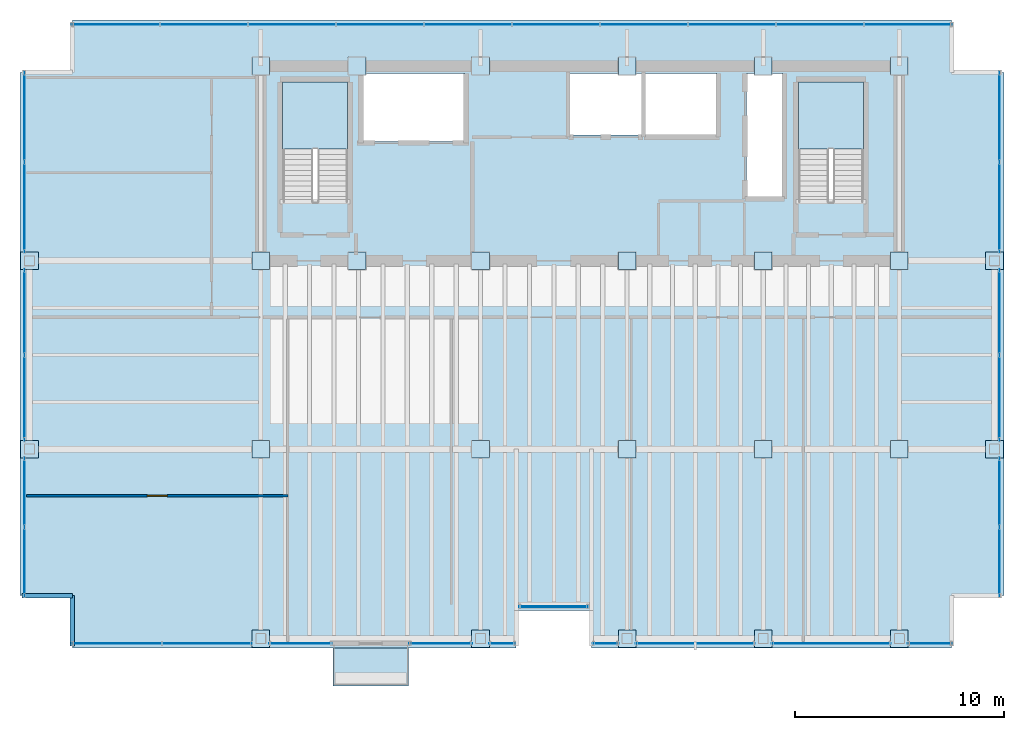
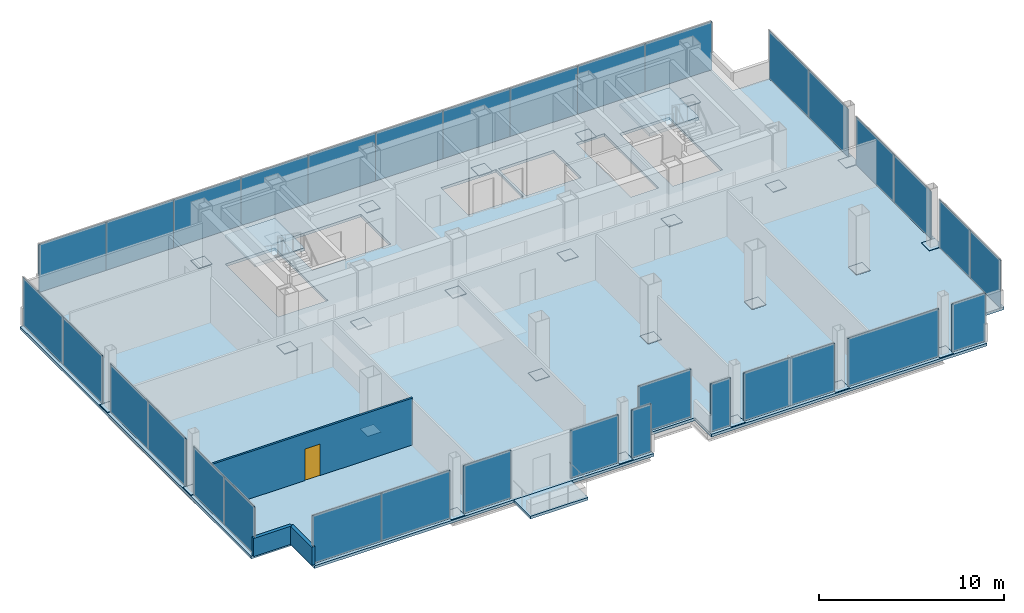
# One storey, part 17 of 20: 58 plates, 4 slabs, 3 walls, 1 door, 7 openings, 18 elements without a shape of their own.
"""IFC4 building model written with IfcOpenShell, lengths in metres."""

from ifc_helpers import new_model, si_unit, direction, frame, frame_2d, origin, origin_2d, place, context, subcontext, project, spatial, polyline, rectangle, outline, extrude, material, layer, layer_set, type_object, element, fill, aggregate, save


model = new_model("IFC4")

# Units and contexts
model_context = context("Model", 3, precision=1e-05, world=origin(), true_north=direction((0.0, 1.0)))
body_context = subcontext(model_context, "Body", "Model", "MODEL_VIEW")
ifc_project = project(units=[si_unit("LENGTHUNIT", "METRE"), si_unit("AREAUNIT", "SQUARE_METRE"), si_unit("VOLUMEUNIT", "CUBIC_METRE"), si_unit("PLANEANGLEUNIT", "RADIAN"), si_unit("MASSUNIT", "GRAM", prefix="KILO")], contexts=[model_context])

# Site, building, storey
site_placement = place(None, origin())
site = spatial("IfcSite", under=ifc_project, at=site_placement, CompositionType="ELEMENT")
building_placement = place(site_placement, origin())
building = spatial("IfcBuilding", under=site, at=building_placement, Name="Noeulbin Bourse Tower", CompositionType="ELEMENT")
storey_placement = place(building_placement, frame((0.0, 0.0, 118.800048828125)))
storey = spatial("IfcBuildingStorey", under=building, at=storey_placement, Name="L29", CompositionType="ELEMENT", Elevation=118.800048828125)

# Curtain wall, plate
ifc_material_1 = material(Name="Dark Tinted Triple Glazing", Category="glass")
curtain_wall_type = type_object("IfcCurtainWallType", Name="CW-SYS-3", PredefinedType="NOTDEFINED", material=ifc_material_1)
curtain_wall_1_placement = place(storey_placement, origin())
curtain_wall_1 = element("IfcCurtainWall", 1, at=curtain_wall_1_placement, inside=storey, type_object=curtain_wall_type, Name="Unitised Curtain Wall CW-L29-SREC", PredefinedType="NOTDEFINED")
ifc_layer_1 = layer(ifc_material_1, 0.035888671875)
ifc_layer_set_1 = layer_set([ifc_layer_1], Name="Dark Tinted Triple Glazing")
plate_type_1 = type_object("IfcPlateType", Name="CW-SYS-3-PNL", PredefinedType="CURTAIN_PANEL", material=ifc_layer_set_1)
plate_1_placement = place(storey_placement, frame((27.5, 12.47998046875, 0.0), z_axis=(0.0, 0.0, 1.0), x_axis=(1.0, 0.0, 0.0)))
plate_1 = element("IfcPlate", 2, at=plate_1_placement, type_object=plate_type_1, Name="Glazed Curtain Panel CW-L29-SREC-P00", PredefinedType="CURTAIN_PANEL", context=body_context, shape_type="SweptSolid", body=[
    extrude(rectangle(XDim=3.300048828125, YDim=0.035888671875, at=origin_2d()), origin(), (0.0, 0.0, 1.0), 3.179931640625),
])
aggregate(curtain_wall_1, [plate_1])

# Curtain wall, plates
curtain_wall_2_placement = place(storey_placement, origin())
curtain_wall_2 = element("IfcCurtainWall", 3, at=curtain_wall_2_placement, inside=storey, type_object=curtain_wall_type, Name="Unitised Curtain Wall CW-L29-S1-S1", PredefinedType="NOTDEFINED")
plate_2_placement = place(storey_placement, frame((6.632568359375, 10.719970703125, 0.0), z_axis=(0.0, 0.0, 1.0), x_axis=(1.0, 0.0, 0.0)))
plate_2 = element("IfcPlate", 4, at=plate_2_placement, type_object=plate_type_1, Name="Glazed Curtain Panel CW-L29-S1-S1-P00", PredefinedType="CURTAIN_PANEL", context=body_context, shape_type="SweptSolid", body=[
    extrude(rectangle(XDim=4.304931640625, YDim=0.035888671875, at=origin_2d()), origin(), (0.0, 0.0, 1.0), 3.179931640625),
])
plate_3_placement = place(storey_placement, frame((10.9375, 10.719970703125, 0.0), z_axis=(0.0, 0.0, 1.0), x_axis=(1.0, 0.0, 0.0)))
plate_3 = element("IfcPlate", 5, at=plate_3_placement, type_object=plate_type_1, Name="Glazed Curtain Panel CW-L29-S1-S1-P01", PredefinedType="CURTAIN_PANEL", context=body_context, shape_type="SweptSolid", body=[
    extrude(rectangle(XDim=4.304931640625, YDim=0.035888671875, at=origin_2d()), origin(), (0.0, 0.0, 1.0), 3.179931640625),
])
aggregate(curtain_wall_2, [plate_2, plate_3])

# Curtain wall, plate
curtain_wall_3_placement = place(storey_placement, origin())
curtain_wall_3 = element("IfcCurtainWall", 6, at=curtain_wall_3_placement, inside=storey, type_object=curtain_wall_type, Name="Unitised Curtain Wall CW-L29-S1-S2", PredefinedType="NOTDEFINED")
plate_4_placement = place(storey_placement, frame((15.405029296875, 10.719970703125, 0.0), z_axis=(0.0, 0.0, 1.0), x_axis=(1.0, 0.0, 0.0)))
plate_4 = element("IfcPlate", 7, at=plate_4_placement, type_object=plate_type_1, Name="Glazed Curtain Panel CW-L29-S1-S2-P00", PredefinedType="CURTAIN_PANEL", context=body_context, shape_type="SweptSolid", body=[
    extrude(rectangle(XDim=2.989990234375, YDim=0.035888671875, at=origin_2d()), origin(), (0.0, 0.0, 1.0), 3.179931640625),
])
aggregate(curtain_wall_3, [plate_4])

curtain_wall_4_placement = place(storey_placement, origin())
curtain_wall_4 = element("IfcCurtainWall", 8, at=curtain_wall_4_placement, inside=storey, type_object=curtain_wall_type, Name="Unitised Curtain Wall CW-L29-S2-S1", PredefinedType="NOTDEFINED")
plate_5_placement = place(storey_placement, frame((22.094970703125, 10.719970703125, 0.0), z_axis=(0.0, 0.0, 1.0), x_axis=(1.0, 0.0, 0.0)))
plate_5 = element("IfcPlate", 9, at=plate_5_placement, type_object=plate_type_1, Name="Glazed Curtain Panel CW-L29-S2-S1-P00", PredefinedType="CURTAIN_PANEL", context=body_context, shape_type="SweptSolid", body=[
    extrude(rectangle(XDim=2.989990234375, YDim=0.035888671875, at=origin_2d()), origin(), (0.0, 0.0, 1.0), 3.179931640625),
])
aggregate(curtain_wall_4, [plate_5])

curtain_wall_5_placement = place(storey_placement, origin())
curtain_wall_5 = element("IfcCurtainWall", 10, at=curtain_wall_5_placement, inside=storey, type_object=curtain_wall_type, Name="Unitised Curtain Wall CW-L29-S2-S2", PredefinedType="NOTDEFINED")
plate_6_placement = place(storey_placement, frame((25.030029296875, 10.719970703125, 0.0), z_axis=(0.0, 0.0, 1.0), x_axis=(1.0, 0.0, 0.0)))
plate_6 = element("IfcPlate", 11, at=plate_6_placement, type_object=plate_type_1, Name="Glazed Curtain Panel CW-L29-S2-S2-P00", PredefinedType="CURTAIN_PANEL", context=body_context, shape_type="SweptSolid", body=[
    extrude(rectangle(XDim=1.239990234375, YDim=0.035888671875, at=origin_2d()), origin(), (0.0, 0.0, 1.0), 3.179931640625),
])
aggregate(curtain_wall_5, [plate_6])

curtain_wall_6_placement = place(storey_placement, origin())
curtain_wall_6 = element("IfcCurtainWall", 12, at=curtain_wall_6_placement, inside=storey, type_object=curtain_wall_type, Name="Unitised Curtain Wall CW-L29-S3-S1", PredefinedType="NOTDEFINED")
plate_7_placement = place(storey_placement, frame((29.969970703125, 10.719970703125, 0.0), z_axis=(0.0, 0.0, 1.0), x_axis=(1.0, 0.0, 0.0)))
plate_7 = element("IfcPlate", 13, at=plate_7_placement, type_object=plate_type_1, Name="Glazed Curtain Panel CW-L29-S3-S1-P00", PredefinedType="CURTAIN_PANEL", context=body_context, shape_type="SweptSolid", body=[
    extrude(rectangle(XDim=1.239990234375, YDim=0.035888671875, at=origin_2d()), origin(), (0.0, 0.0, 1.0), 3.179931640625),
])
aggregate(curtain_wall_6, [plate_7])

curtain_wall_7_placement = place(storey_placement, origin())
curtain_wall_7 = element("IfcCurtainWall", 14, at=curtain_wall_7_placement, inside=storey, type_object=curtain_wall_type, Name="Unitised Curtain Wall CW-L29-S3-S2", PredefinedType="NOTDEFINED")
plate_8_placement = place(storey_placement, frame((34.25, 10.719970703125, 0.0), z_axis=(0.0, 0.0, 1.0), x_axis=(1.0, 0.0, 0.0)))
plate_8 = element("IfcPlate", 15, at=plate_8_placement, type_object=plate_type_1, Name="Glazed Curtain Panel CW-L29-S3-S2-P00", PredefinedType="CURTAIN_PANEL", context=body_context, shape_type="SweptSolid", body=[
    extrude(rectangle(XDim=5.679931640625, YDim=0.035888671875, at=origin_2d()), origin(), (0.0, 0.0, 1.0), 3.179931640625),
])
aggregate(curtain_wall_7, [plate_8])

curtain_wall_8_placement = place(storey_placement, origin())
curtain_wall_8 = element("IfcCurtainWall", 16, at=curtain_wall_8_placement, inside=storey, type_object=curtain_wall_type, Name="Unitised Curtain Wall CW-L29-S3-S3", PredefinedType="NOTDEFINED")
plate_9_placement = place(storey_placement, frame((40.75, 10.719970703125, 0.0), z_axis=(0.0, 0.0, 1.0), x_axis=(1.0, 0.0, 0.0)))
plate_9 = element("IfcPlate", 17, at=plate_9_placement, type_object=plate_type_1, Name="Glazed Curtain Panel CW-L29-S3-S3-P00", PredefinedType="CURTAIN_PANEL", context=body_context, shape_type="SweptSolid", body=[
    extrude(rectangle(XDim=5.679931640625, YDim=0.035888671875, at=origin_2d()), origin(), (0.0, 0.0, 1.0), 3.179931640625),
])
aggregate(curtain_wall_8, [plate_9])

curtain_wall_9_placement = place(storey_placement, origin())
curtain_wall_9 = element("IfcCurtainWall", 18, at=curtain_wall_9_placement, inside=storey, type_object=curtain_wall_type, Name="Unitised Curtain Wall CW-L29-S3-S4", PredefinedType="NOTDEFINED")
plate_10_placement = place(storey_placement, frame((45.465087890625, 10.719970703125, 0.0), z_axis=(0.0, 0.0, 1.0), x_axis=(1.0, 0.0, 0.0)))
plate_10 = element("IfcPlate", 19, at=plate_10_placement, type_object=plate_type_1, Name="Glazed Curtain Panel CW-L29-S3-S4-P00", PredefinedType="CURTAIN_PANEL", context=body_context, shape_type="SweptSolid", body=[
    extrude(rectangle(XDim=2.110107421875, YDim=0.035888671875, at=origin_2d()), origin(), (0.0, 0.0, 1.0), 3.179931640625),
])
aggregate(curtain_wall_9, [plate_10])

# Curtain wall, plates
curtain_wall_10_placement = place(storey_placement, origin())
curtain_wall_10 = element("IfcCurtainWall", 20, at=curtain_wall_10_placement, inside=storey, type_object=curtain_wall_type, Name="Unitised Curtain Wall CW-L29-N", PredefinedType="NOTDEFINED")
plate_11_placement = place(storey_placement, frame((6.58203125, 40.280029296875, 0.0), z_axis=(0.0, 0.0, 1.0), x_axis=(1.0, 0.0, 0.0)))
plate_11 = element("IfcPlate", 21, at=plate_11_placement, type_object=plate_type_1, Name="Glazed Curtain Panel CW-L29-N-P00", PredefinedType="CURTAIN_PANEL", context=body_context, shape_type="SweptSolid", body=[
    extrude(rectangle(XDim=4.2041015625, YDim=0.035888671875, at=origin_2d()), origin(), (0.0, 0.0, 1.0), 3.179931640625),
])
plate_12_placement = place(storey_placement, frame((10.785888671875, 40.280029296875, 0.0), z_axis=(0.0, 0.0, 1.0), x_axis=(1.0, 0.0, 0.0)))
plate_12 = element("IfcPlate", 22, at=plate_12_placement, type_object=plate_type_1, Name="Glazed Curtain Panel CW-L29-N-P01", PredefinedType="CURTAIN_PANEL", context=body_context, shape_type="SweptSolid", body=[
    extrude(rectangle(XDim=4.2041015625, YDim=0.035888671875, at=origin_2d()), origin(), (0.0, 0.0, 1.0), 3.179931640625),
])
plate_13_placement = place(storey_placement, frame((14.989990234375, 40.280029296875, 0.0), z_axis=(0.0, 0.0, 1.0), x_axis=(1.0, 0.0, 0.0)))
plate_13 = element("IfcPlate", 23, at=plate_13_placement, type_object=plate_type_1, Name="Glazed Curtain Panel CW-L29-N-P02", PredefinedType="CURTAIN_PANEL", context=body_context, shape_type="SweptSolid", body=[
    extrude(rectangle(XDim=4.2041015625, YDim=0.035888671875, at=origin_2d()), origin(), (0.0, 0.0, 1.0), 3.179931640625),
])
plate_14_placement = place(storey_placement, frame((19.194091796875, 40.280029296875, 0.0), z_axis=(0.0, 0.0, 1.0), x_axis=(1.0, 0.0, 0.0)))
plate_14 = element("IfcPlate", 24, at=plate_14_placement, type_object=plate_type_1, Name="Glazed Curtain Panel CW-L29-N-P03", PredefinedType="CURTAIN_PANEL", context=body_context, shape_type="SweptSolid", body=[
    extrude(rectangle(XDim=4.2041015625, YDim=0.035888671875, at=origin_2d()), origin(), (0.0, 0.0, 1.0), 3.179931640625),
])
plate_15_placement = place(storey_placement, frame((23.39794921875, 40.280029296875, 0.0), z_axis=(0.0, 0.0, 1.0), x_axis=(1.0, 0.0, 0.0)))
plate_15 = element("IfcPlate", 25, at=plate_15_placement, type_object=plate_type_1, Name="Glazed Curtain Panel CW-L29-N-P04", PredefinedType="CURTAIN_PANEL", context=body_context, shape_type="SweptSolid", body=[
    extrude(rectangle(XDim=4.2041015625, YDim=0.035888671875, at=origin_2d()), origin(), (0.0, 0.0, 1.0), 3.179931640625),
])
plate_16_placement = place(storey_placement, frame((27.60205078125, 40.280029296875, 0.0), z_axis=(0.0, 0.0, 1.0), x_axis=(1.0, 0.0, 0.0)))
plate_16 = element("IfcPlate", 26, at=plate_16_placement, type_object=plate_type_1, Name="Glazed Curtain Panel CW-L29-N-P05", PredefinedType="CURTAIN_PANEL", context=body_context, shape_type="SweptSolid", body=[
    extrude(rectangle(XDim=4.2041015625, YDim=0.035888671875, at=origin_2d()), origin(), (0.0, 0.0, 1.0), 3.179931640625),
])
plate_17_placement = place(storey_placement, frame((31.805908203125, 40.280029296875, 0.0), z_axis=(0.0, 0.0, 1.0), x_axis=(1.0, 0.0, 0.0)))
plate_17 = element("IfcPlate", 27, at=plate_17_placement, type_object=plate_type_1, Name="Glazed Curtain Panel CW-L29-N-P06", PredefinedType="CURTAIN_PANEL", context=body_context, shape_type="SweptSolid", body=[
    extrude(rectangle(XDim=4.2041015625, YDim=0.035888671875, at=origin_2d()), origin(), (0.0, 0.0, 1.0), 3.179931640625),
])
plate_18_placement = place(storey_placement, frame((36.010009765625, 40.280029296875, 0.0), z_axis=(0.0, 0.0, 1.0), x_axis=(1.0, 0.0, 0.0)))
plate_18 = element("IfcPlate", 28, at=plate_18_placement, type_object=plate_type_1, Name="Glazed Curtain Panel CW-L29-N-P07", PredefinedType="CURTAIN_PANEL", context=body_context, shape_type="SweptSolid", body=[
    extrude(rectangle(XDim=4.2041015625, YDim=0.035888671875, at=origin_2d()), origin(), (0.0, 0.0, 1.0), 3.179931640625),
])
plate_19_placement = place(storey_placement, frame((40.214111328125, 40.280029296875, 0.0), z_axis=(0.0, 0.0, 1.0), x_axis=(1.0, 0.0, 0.0)))
plate_19 = element("IfcPlate", 29, at=plate_19_placement, type_object=plate_type_1, Name="Glazed Curtain Panel CW-L29-N-P08", PredefinedType="CURTAIN_PANEL", context=body_context, shape_type="SweptSolid", body=[
    extrude(rectangle(XDim=4.2041015625, YDim=0.035888671875, at=origin_2d()), origin(), (0.0, 0.0, 1.0), 3.179931640625),
])
plate_20_placement = place(storey_placement, frame((44.41796875, 40.280029296875, 0.0), z_axis=(0.0, 0.0, 1.0), x_axis=(1.0, 0.0, 0.0)))
plate_20 = element("IfcPlate", 30, at=plate_20_placement, type_object=plate_type_1, Name="Glazed Curtain Panel CW-L29-N-P09", PredefinedType="CURTAIN_PANEL", context=body_context, shape_type="SweptSolid", body=[
    extrude(rectangle(XDim=4.2041015625, YDim=0.035888671875, at=origin_2d()), origin(), (0.0, 0.0, 1.0), 3.179931640625),
])
aggregate(curtain_wall_10, [plate_11, plate_12, plate_13, plate_14, plate_15, plate_16, plate_17, plate_18, plate_19, plate_20])

curtain_wall_11_placement = place(storey_placement, origin())
curtain_wall_11 = element("IfcCurtainWall", 31, at=curtain_wall_11_placement, inside=storey, type_object=curtain_wall_type, Name="Unitised Curtain Wall CW-L29-W-S1", PredefinedType="NOTDEFINED")
plate_21_placement = place(storey_placement, frame((2.219970703125, 14.632568359375, 0.0), z_axis=(0.0, 0.0, 1.0), x_axis=(0.0, 1.0, 0.0)))
plate_21 = element("IfcPlate", 32, at=plate_21_placement, type_object=plate_type_1, Name="Glazed Curtain Panel CW-L29-W-S1-P00", PredefinedType="CURTAIN_PANEL", context=body_context, shape_type="SweptSolid", body=[
    extrude(rectangle(XDim=3.304931640625, YDim=0.035888671875, at=origin_2d()), origin(), (0.0, 0.0, 1.0), 3.179931640625),
])
plate_22_placement = place(storey_placement, frame((2.219970703125, 17.9375, 0.0), z_axis=(0.0, 0.0, 1.0), x_axis=(0.0, 1.0, 0.0)))
plate_22 = element("IfcPlate", 33, at=plate_22_placement, type_object=plate_type_1, Name="Glazed Curtain Panel CW-L29-W-S1-P01", PredefinedType="CURTAIN_PANEL", context=body_context, shape_type="SweptSolid", body=[
    extrude(rectangle(XDim=3.304931640625, YDim=0.035888671875, at=origin_2d()), origin(), (0.0, 0.0, 1.0), 3.179931640625),
])
aggregate(curtain_wall_11, [plate_21, plate_22])

curtain_wall_12_placement = place(storey_placement, origin())
curtain_wall_12 = element("IfcCurtainWall", 34, at=curtain_wall_12_placement, inside=storey, type_object=curtain_wall_type, Name="Unitised Curtain Wall CW-L29-W-S2", PredefinedType="NOTDEFINED")
plate_23_placement = place(storey_placement, frame((2.219970703125, 22.455078125, 0.0), z_axis=(0.0, 0.0, 1.0), x_axis=(0.0, 1.0, 0.0)))
plate_23 = element("IfcPlate", 35, at=plate_23_placement, type_object=plate_type_1, Name="Glazed Curtain Panel CW-L29-W-S2-P00", PredefinedType="CURTAIN_PANEL", context=body_context, shape_type="SweptSolid", body=[
    extrude(rectangle(XDim=4.090087890625, YDim=0.035888671875, at=origin_2d()), origin(), (0.0, 0.0, 1.0), 3.179931640625),
])
plate_24_placement = place(storey_placement, frame((2.219970703125, 26.544921875, 0.0), z_axis=(0.0, 0.0, 1.0), x_axis=(0.0, 1.0, 0.0)))
plate_24 = element("IfcPlate", 36, at=plate_24_placement, type_object=plate_type_1, Name="Glazed Curtain Panel CW-L29-W-S2-P01", PredefinedType="CURTAIN_PANEL", context=body_context, shape_type="SweptSolid", body=[
    extrude(rectangle(XDim=4.090087890625, YDim=0.035888671875, at=origin_2d()), origin(), (0.0, 0.0, 1.0), 3.179931640625),
])
aggregate(curtain_wall_12, [plate_23, plate_24])

curtain_wall_13_placement = place(storey_placement, origin())
curtain_wall_13 = element("IfcCurtainWall", 37, at=curtain_wall_13_placement, inside=storey, type_object=curtain_wall_type, Name="Unitised Curtain Wall CW-L29-W-S3", PredefinedType="NOTDEFINED")
plate_25_placement = place(storey_placement, frame((2.219970703125, 31.5625, 0.0), z_axis=(0.0, 0.0, 1.0), x_axis=(0.0, 1.0, 0.0)))
plate_25 = element("IfcPlate", 38, at=plate_25_placement, type_object=plate_type_1, Name="Glazed Curtain Panel CW-L29-W-S3-P00", PredefinedType="CURTAIN_PANEL", context=body_context, shape_type="SweptSolid", body=[
    extrude(rectangle(XDim=4.304931640625, YDim=0.035888671875, at=origin_2d()), origin(), (0.0, 0.0, 1.0), 3.179931640625),
])
plate_26_placement = place(storey_placement, frame((2.219970703125, 35.867431640625, 0.0), z_axis=(0.0, 0.0, 1.0), x_axis=(0.0, 1.0, 0.0)))
plate_26 = element("IfcPlate", 39, at=plate_26_placement, type_object=plate_type_1, Name="Glazed Curtain Panel CW-L29-W-S3-P01", PredefinedType="CURTAIN_PANEL", context=body_context, shape_type="SweptSolid", body=[
    extrude(rectangle(XDim=4.304931640625, YDim=0.035888671875, at=origin_2d()), origin(), (0.0, 0.0, 1.0), 3.179931640625),
])
aggregate(curtain_wall_13, [plate_25, plate_26])

curtain_wall_14_placement = place(storey_placement, origin())
curtain_wall_14 = element("IfcCurtainWall", 40, at=curtain_wall_14_placement, inside=storey, type_object=curtain_wall_type, Name="Unitised Curtain Wall CW-L29-E-S1", PredefinedType="NOTDEFINED")
plate_27_placement = place(storey_placement, frame((48.780029296875, 14.632568359375, 0.0), z_axis=(0.0, 0.0, 1.0), x_axis=(0.0, 1.0, 0.0)))
plate_27 = element("IfcPlate", 41, at=plate_27_placement, type_object=plate_type_1, Name="Glazed Curtain Panel CW-L29-E-S1-P00", PredefinedType="CURTAIN_PANEL", context=body_context, shape_type="SweptSolid", body=[
    extrude(rectangle(XDim=3.304931640625, YDim=0.035888671875, at=origin_2d()), origin(), (0.0, 0.0, 1.0), 3.179931640625),
])
plate_28_placement = place(storey_placement, frame((48.780029296875, 17.9375, 0.0), z_axis=(0.0, 0.0, 1.0), x_axis=(0.0, 1.0, 0.0)))
plate_28 = element("IfcPlate", 42, at=plate_28_placement, type_object=plate_type_1, Name="Glazed Curtain Panel CW-L29-E-S1-P01", PredefinedType="CURTAIN_PANEL", context=body_context, shape_type="SweptSolid", body=[
    extrude(rectangle(XDim=3.304931640625, YDim=0.035888671875, at=origin_2d()), origin(), (0.0, 0.0, 1.0), 3.179931640625),
])
aggregate(curtain_wall_14, [plate_27, plate_28])

curtain_wall_15_placement = place(storey_placement, origin())
curtain_wall_15 = element("IfcCurtainWall", 43, at=curtain_wall_15_placement, inside=storey, type_object=curtain_wall_type, Name="Unitised Curtain Wall CW-L29-E-S2", PredefinedType="NOTDEFINED")
plate_29_placement = place(storey_placement, frame((48.780029296875, 22.455078125, 0.0), z_axis=(0.0, 0.0, 1.0), x_axis=(0.0, 1.0, 0.0)))
plate_29 = element("IfcPlate", 44, at=plate_29_placement, type_object=plate_type_1, Name="Glazed Curtain Panel CW-L29-E-S2-P00", PredefinedType="CURTAIN_PANEL", context=body_context, shape_type="SweptSolid", body=[
    extrude(rectangle(XDim=4.090087890625, YDim=0.035888671875, at=origin_2d()), origin(), (0.0, 0.0, 1.0), 3.179931640625),
])
plate_30_placement = place(storey_placement, frame((48.780029296875, 26.544921875, 0.0), z_axis=(0.0, 0.0, 1.0), x_axis=(0.0, 1.0, 0.0)))
plate_30 = element("IfcPlate", 45, at=plate_30_placement, type_object=plate_type_1, Name="Glazed Curtain Panel CW-L29-E-S2-P01", PredefinedType="CURTAIN_PANEL", context=body_context, shape_type="SweptSolid", body=[
    extrude(rectangle(XDim=4.090087890625, YDim=0.035888671875, at=origin_2d()), origin(), (0.0, 0.0, 1.0), 3.179931640625),
])
aggregate(curtain_wall_15, [plate_29, plate_30])

curtain_wall_16_placement = place(storey_placement, origin())
curtain_wall_16 = element("IfcCurtainWall", 46, at=curtain_wall_16_placement, inside=storey, type_object=curtain_wall_type, Name="Unitised Curtain Wall CW-L29-E-S3", PredefinedType="NOTDEFINED")
plate_31_placement = place(storey_placement, frame((48.780029296875, 31.5625, 0.0), z_axis=(0.0, 0.0, 1.0), x_axis=(0.0, 1.0, 0.0)))
plate_31 = element("IfcPlate", 47, at=plate_31_placement, type_object=plate_type_1, Name="Glazed Curtain Panel CW-L29-E-S3-P00", PredefinedType="CURTAIN_PANEL", context=body_context, shape_type="SweptSolid", body=[
    extrude(rectangle(XDim=4.304931640625, YDim=0.035888671875, at=origin_2d()), origin(), (0.0, 0.0, 1.0), 3.179931640625),
])
plate_32_placement = place(storey_placement, frame((48.780029296875, 35.867431640625, 0.0), z_axis=(0.0, 0.0, 1.0), x_axis=(0.0, 1.0, 0.0)))
plate_32 = element("IfcPlate", 48, at=plate_32_placement, type_object=plate_type_1, Name="Glazed Curtain Panel CW-L29-E-S3-P01", PredefinedType="CURTAIN_PANEL", context=body_context, shape_type="SweptSolid", body=[
    extrude(rectangle(XDim=4.304931640625, YDim=0.035888671875, at=origin_2d()), origin(), (0.0, 0.0, 1.0), 3.179931640625),
])
aggregate(curtain_wall_16, [plate_31, plate_32])

# Plates
ifc_material_2 = material(Name="Steel S355", Category="steel")
ifc_layer_2 = layer(ifc_material_2, 0.030029296875)
ifc_layer_set_2 = layer_set([ifc_layer_2], Name="Steel S355")
plate_type_2 = type_object("IfcPlateType", Name="PLT-BN1", PredefinedType="USERDEFINED", material=ifc_layer_set_2)
for number, where, z_axis, x_axis, name in (
    (49, (13.5, 29.0, 0.0048828125), (0.0, 0.0, 1.0), (1.0, 0.0, 0.0), "Mega-Column Splice Plate BN1-L29-01"),
    (50, (13.5, 38.300048828125, 0.0048828125), (0.0, 0.0, 1.0), (1.0, 0.0, 0.0), "Mega-Column Splice Plate BN1-L29-02"),
    (51, (18.10009765625, 29.0, 0.0048828125), (0.0, 0.0, 1.0), (1.0, 0.0, 0.0), "Mega-Column Splice Plate BN1-L29-03"),
    (52, (18.10009765625, 38.300048828125, 0.0048828125), (0.0, 0.0, 1.0), (1.0, 0.0, 0.0), "Mega-Column Splice Plate BN1-L29-04"),
    (53, (24.0, 29.0, 0.0048828125), (0.0, 0.0, 1.0), (1.0, 0.0, 0.0), "Mega-Column Splice Plate BN1-L29-05"),
    (54, (24.0, 38.300048828125, 0.0048828125), (0.0, 0.0, 1.0), (1.0, 0.0, 0.0), "Mega-Column Splice Plate BN1-L29-06"),
    (55, (31.0, 29.0, 0.0048828125), (0.0, 0.0, 1.0), (1.0, 0.0, 0.0), "Mega-Column Splice Plate BN1-L29-07"),
    (56, (31.0, 38.300048828125, 0.0048828125), (0.0, 0.0, 1.0), (1.0, 0.0, 0.0), "Mega-Column Splice Plate BN1-L29-08"),
    (57, (37.5, 29.0, 0.0048828125), (0.0, 0.0, 1.0), (1.0, 0.0, 0.0), "Mega-Column Splice Plate BN1-L29-09"),
    (58, (37.5, 38.300048828125, 0.0048828125), (0.0, 0.0, 1.0), (1.0, 0.0, 0.0), "Mega-Column Splice Plate BN1-L29-10"),
    (59, (44.0, 29.0, 0.0048828125), (0.0, 0.0, 1.0), (1.0, 0.0, 0.0), "Mega-Column Splice Plate BN1-L29-11"),
    (60, (44.0, 38.300048828125, 0.0048828125), (0.0, 0.0, 1.0), (1.0, 0.0, 0.0), "Mega-Column Splice Plate BN1-L29-12"),
    (61, (13.5, 20.0, 0.0048828125), (0.0, 0.0, 1.0), (1.0, 0.0, 0.0), "Mega-Column Splice Plate BN1-L29-13"),
    (62, (24.0, 20.0, 0.0048828125), (0.0, 0.0, 1.0), (1.0, 0.0, 0.0), "Mega-Column Splice Plate BN1-L29-14"),
    (63, (31.0, 20.0, 0.0048828125), (0.0, 0.0, 1.0), (1.0, 0.0, 0.0), "Mega-Column Splice Plate BN1-L29-15"),
    (64, (37.5, 20.0, 0.0048828125), (0.0, 0.0, 1.0), (1.0, 0.0, 0.0), "Mega-Column Splice Plate BN1-L29-16"),
    (65, (44.0, 20.0, 0.0048828125), (0.0, 0.0, 1.0), (1.0, 0.0, 0.0), "Mega-Column Splice Plate BN1-L29-17"),
    (66, (2.449951171875, 20.0, 0.0048828125), (0.0, 0.0, 1.0), (1.0, 0.0, 0.0), "Perimeter Column Splice Plate BN1-L29-01"),
    (67, (2.449951171875, 29.0, 0.0048828125), (0.0, 0.0, 1.0), (1.0, 0.0, 0.0), "Perimeter Column Splice Plate BN1-L29-02"),
    (68, (13.5, 10.949951171875, 0.0048828125), (0.0, 0.0, 1.0), (1.0, 0.0, 0.0), "Perimeter Column Splice Plate BN1-L29-03"),
    (69, (24.0, 10.949951171875, 0.0048828125), (0.0, 0.0, 1.0), (1.0, 0.0, 0.0), "Perimeter Column Splice Plate BN1-L29-04"),
    (70, (31.0, 10.949951171875, 0.0048828125), (0.0, 0.0, 1.0), (1.0, 0.0, 0.0), "Perimeter Column Splice Plate BN1-L29-05"),
    (71, (37.5, 10.949951171875, 0.0048828125), (0.0, 0.0, 1.0), (1.0, 0.0, 0.0), "Perimeter Column Splice Plate BN1-L29-06"),
    (72, (44.0, 10.949951171875, 0.0048828125), (0.0, 0.0, 1.0), (1.0, 0.0, 0.0), "Perimeter Column Splice Plate BN1-L29-07"),
    (73, (48.550048828125, 20.0, 0.0048828125), (0.0, 0.0, 1.0), (1.0, 0.0, 0.0), "Perimeter Column Splice Plate BN1-L29-08"),
    (74, (48.550048828125, 29.0, 0.0048828125), (0.0, 0.0, 1.0), (1.0, 0.0, 0.0), "Perimeter Column Splice Plate BN1-L29-09"),
):
    element("IfcPlate", number, at=place(storey_placement, frame(where, z_axis=z_axis, x_axis=x_axis)), inside=storey, type_object=plate_type_2, Name=name, ObjectType="SPLICE PLATE", PredefinedType="USERDEFINED", context=body_context, shape_type="SweptSolid", body=[
        extrude(rectangle(XDim=0.85009765625, YDim=0.85009765625, at=origin_2d()), origin(), (0.0, 0.0, 1.0), 0.030029296875),
    ])

# Stair, slab
ifc_material_3 = material(Name="Concrete C40/50", Category="concrete")
stair_type = type_object("IfcStairType", Name="STR-CORE-1560", PredefinedType="HALF_TURN_STAIR", material=ifc_material_3)
stair_1_placement = place(storey_placement, origin())
stair_1 = element("IfcStair", 75, at=stair_1_placement, inside=storey, type_object=stair_type, Name="L29 ST-1", PredefinedType="HALF_TURN_STAIR")
ifc_layer_3 = layer(ifc_material_3, 0.199951171875)
ifc_layer_set_3 = layer_set([ifc_layer_3], Name="Concrete C40/50")
slab_type_1 = type_object("IfcSlabType", Name="SLB-LND-200", PredefinedType="LANDING", material=ifc_layer_set_3)
slab_1_placement = place(storey_placement, frame((0.0, 0.0, 1.75)))
slab_1 = element("IfcSlab", 76, at=slab_1_placement, type_object=slab_type_1, Name="ST-1 landing 1", PredefinedType="LANDING", context=body_context, shape_type="SweptSolid", body=[
    extrude(outline(polyline([(17.64990234375, 34.330078125), (17.64990234375, 37.5439453125), (14.550048828125, 37.5439453125), (14.550048828125, 34.330078125), (17.64990234375, 34.330078125)])), origin(), (0.0, 0.0, 1.0), 0.199951171875),
])
aggregate(stair_1, [slab_1])

stair_2_placement = place(storey_placement, origin())
stair_2 = element("IfcStair", 77, at=stair_2_placement, inside=storey, type_object=stair_type, Name="L29 ST-2", PredefinedType="HALF_TURN_STAIR")
slab_2_placement = place(storey_placement, frame((0.0, 0.0, 1.75)))
slab_2 = element("IfcSlab", 78, at=slab_2_placement, type_object=slab_type_1, Name="ST-2 landing 1", PredefinedType="LANDING", context=body_context, shape_type="SweptSolid", body=[
    extrude(outline(polyline([(42.280029296875, 34.330078125), (42.280029296875, 37.5439453125), (39.179931640625, 37.5439453125), (39.179931640625, 34.330078125), (42.280029296875, 34.330078125)])), origin(), (0.0, 0.0, 1.0), 0.199951171875),
])
aggregate(stair_2, [slab_2])

# Slab, openings
ifc_layer_4 = layer(ifc_material_3, 0.179931640625)
ifc_layer_set_4 = layer_set([ifc_layer_4], Name="Concrete C40/50")
slab_type_2 = type_object("IfcSlabType", Name="SLB-TYP-180", PredefinedType="FLOOR", material=ifc_layer_set_4)
slab_3_placement = place(storey_placement, frame((0.0, 0.0, -0.179931640625)))
slab_3 = element("IfcSlab", 79, at=slab_3_placement, inside=storey, type_object=slab_type_2, Name="Tower Structural Floor Slab L29", PredefinedType="FLOOR", context=body_context, shape_type="SweptSolid", body=[
    extrude(outline(polyline([(4.5, 10.5), (25.699951171875, 10.5), (25.699951171875, 12.300048828125), (29.300048828125, 12.300048828125), (29.300048828125, 10.5), (46.5, 10.5), (46.5, 13.0), (49.0, 13.0), (49.0, 38.0), (46.5, 38.0), (46.5, 40.5), (4.5, 40.5), (4.5, 38.0), (2.0, 38.0), (2.0, 13.0), (4.5, 13.0), (4.5, 10.5)]), holes=[polyline([(17.64990234375, 31.81005859375), (17.64990234375, 37.5439453125), (14.550048828125, 37.5439453125), (14.550048828125, 31.81005859375), (17.64990234375, 31.81005859375)]), polyline([(42.280029296875, 31.81005859375), (42.280029296875, 37.5439453125), (39.179931640625, 37.5439453125), (39.179931640625, 31.81005859375), (42.280029296875, 31.81005859375)]), polyline([(18.35009765625, 34.699951171875), (23.25, 34.699951171875), (23.25, 37.949951171875), (18.35009765625, 37.949951171875), (18.35009765625, 34.699951171875)]), polyline([(36.699951171875, 32.050048828125), (38.449951171875, 32.050048828125), (38.449951171875, 37.949951171875), (36.699951171875, 37.949951171875), (36.699951171875, 32.050048828125)]), polyline([(28.25, 35.0), (31.699951171875, 35.0), (31.699951171875, 37.949951171875), (28.25, 37.949951171875), (28.25, 35.0)]), polyline([(31.85009765625, 35.0), (35.300048828125, 35.0), (35.300048828125, 37.949951171875), (31.85009765625, 37.949951171875), (31.85009765625, 35.0)])]), origin(), (0.0, 0.0, 1.0), 0.179931640625),
])
opening_1_placement = place(slab_3_placement, frame((0.0, 0.0, -0.010009765625)))
element("IfcOpeningElement", 80, at=opening_1_placement, cuts=slab_3, Name="Slab Shaft Opening SLB-L29-TWR-1", PredefinedType="OPENING", context=body_context, shape_type="SweptSolid", body=[
    extrude(outline(polyline([(17.64990234375, 31.81005859375), (17.64990234375, 37.5439453125), (14.550048828125, 37.5439453125), (14.550048828125, 31.81005859375), (17.64990234375, 31.81005859375)])), origin(), (0.0, 0.0, 1.0), 0.199951171875),
])
opening_2_placement = place(slab_3_placement, frame((0.0, 0.0, -0.010009765625)))
element("IfcOpeningElement", 81, at=opening_2_placement, cuts=slab_3, Name="Slab Shaft Opening SLB-L29-TWR-2", PredefinedType="OPENING", context=body_context, shape_type="SweptSolid", body=[
    extrude(outline(polyline([(42.280029296875, 31.81005859375), (42.280029296875, 37.5439453125), (39.179931640625, 37.5439453125), (39.179931640625, 31.81005859375), (42.280029296875, 31.81005859375)])), origin(), (0.0, 0.0, 1.0), 0.199951171875),
])
opening_3_placement = place(slab_3_placement, frame((0.0, 0.0, -0.010009765625)))
element("IfcOpeningElement", 82, at=opening_3_placement, cuts=slab_3, Name="Slab Shaft Opening SLB-L29-TWR-3", PredefinedType="OPENING", context=body_context, shape_type="SweptSolid", body=[
    extrude(outline(polyline([(18.35009765625, 34.699951171875), (23.25, 34.699951171875), (23.25, 37.949951171875), (18.35009765625, 37.949951171875), (18.35009765625, 34.699951171875)])), origin(), (0.0, 0.0, 1.0), 0.199951171875),
])
opening_4_placement = place(slab_3_placement, frame((0.0, 0.0, -0.010009765625)))
element("IfcOpeningElement", 83, at=opening_4_placement, cuts=slab_3, Name="Slab Shaft Opening SLB-L29-TWR-4", PredefinedType="OPENING", context=body_context, shape_type="SweptSolid", body=[
    extrude(outline(polyline([(36.699951171875, 32.050048828125), (38.449951171875, 32.050048828125), (38.449951171875, 37.949951171875), (36.699951171875, 37.949951171875), (36.699951171875, 32.050048828125)])), origin(), (0.0, 0.0, 1.0), 0.199951171875),
])
opening_5_placement = place(slab_3_placement, frame((0.0, 0.0, -0.010009765625)))
element("IfcOpeningElement", 84, at=opening_5_placement, cuts=slab_3, Name="Slab Shaft Opening SLB-L29-TWR-5", PredefinedType="OPENING", context=body_context, shape_type="SweptSolid", body=[
    extrude(outline(polyline([(28.25, 35.0), (31.699951171875, 35.0), (31.699951171875, 37.949951171875), (28.25, 37.949951171875), (28.25, 35.0)])), origin(), (0.0, 0.0, 1.0), 0.199951171875),
])
opening_6_placement = place(slab_3_placement, frame((0.0, 0.0, -0.010009765625)))
element("IfcOpeningElement", 85, at=opening_6_placement, cuts=slab_3, Name="Slab Shaft Opening SLB-L29-TWR-6", PredefinedType="OPENING", context=body_context, shape_type="SweptSolid", body=[
    extrude(outline(polyline([(31.85009765625, 35.0), (35.300048828125, 35.0), (35.300048828125, 37.949951171875), (31.85009765625, 37.949951171875), (31.85009765625, 35.0)])), origin(), (0.0, 0.0, 1.0), 0.199951171875),
])

# Slab
slab_4_placement = place(storey_placement, frame((0.0, 0.0, -0.179931640625)))
element("IfcSlab", 86, at=slab_4_placement, inside=storey, type_object=slab_type_2, Name="Cantilevered Tree-Balcony Slab L29", PredefinedType="FLOOR", context=body_context, shape_type="SweptSolid", body=[
    extrude(outline(polyline([(16.949951171875, 8.699951171875), (20.550048828125, 8.699951171875), (20.550048828125, 10.5), (16.949951171875, 10.5), (16.949951171875, 8.699951171875)])), origin(), (0.0, 0.0, 1.0), 0.179931640625),
])

# Walls
ifc_layer_5 = layer(ifc_material_3, 0.199951171875)
ifc_layer_set_5 = layer_set([ifc_layer_5], Name="Concrete C40/50")
wall_type_1 = type_object("IfcWallType", Name="WAL-PAR-200", PredefinedType="PARAPET", material=ifc_layer_set_5)
for number, where, z_axis, x_axis, name in (
    (87, (2.10009765625, 13.0, 0.0), (0.0, 0.0, 1.0), (1.0, 0.0, 0.0), "Corner Notch Parapet L29-SW1"),
    (88, (4.5, 13.0, 0.0), (0.0, 0.0, 1.0), (0.0, -1.0, 0.0), "Corner Notch Parapet L29-SW2"),
):
    element("IfcWall", number, at=place(storey_placement, frame(where, z_axis=z_axis, x_axis=x_axis)), inside=storey, type_object=wall_type_1, Name=name, PredefinedType="PARAPET", context=body_context, shape_type="SweptSolid", body=[
        extrude(rectangle(XDim=2.39990234375, YDim=0.199951171875, at=frame_2d((1.199951171875, 0.0))), origin(), (0.0, 0.0, 1.0), 1.199951171875),
    ])

# Wall, opening, door
ifc_material_4 = material(Name="Steel Stud Gypsum Partition", Category="steel")
ifc_layer_6 = layer(ifc_material_4, 0.1201171875)
ifc_layer_set_6 = layer_set([ifc_layer_6], Name="Steel Stud Gypsum Partition")
wall_type_2 = type_object("IfcWallType", Name="WAL-PRT-120", PredefinedType="PARTITIONING", material=ifc_layer_set_6)
wall_placement = place(storey_placement, frame((2.31005859375, 17.780029296875, 0.0), z_axis=(0.0, 0.0, 1.0), x_axis=(1.0, 0.0, 0.0)))
wall = element("IfcWall", 89, at=wall_placement, inside=storey, type_object=wall_type_2, Name="Interior Partition Wall L29-06", PredefinedType="PARTITIONING", context=body_context, shape_type="SweptSolid", body=[
    extrude(rectangle(XDim=12.489990234375, YDim=0.1201171875, at=frame_2d((6.2451171875, 0.0))), origin(), (0.0, 0.0, 1.0), 3.099853515625),
])
opening_7_placement = place(wall_placement, frame((5.77001953125, 0.0, 0.0)))
opening_7 = element("IfcOpeningElement", 90, at=opening_7_placement, cuts=wall, Name="Opening ID-09", PredefinedType="OPENING", context=body_context, shape_type="SweptSolid", body=[
    extrude(rectangle(XDim=0.949951171875, YDim=2.080078125, at=frame_2d((0.47509765625, 1.0400390625))), frame((0.0, 0.070068359375, 0.0), z_axis=(0.0, -1.0, 0.0), x_axis=(1.0, 0.0, 0.0)), (0.0, 0.0, 1.0), 0.14013671875),
])
ifc_material_5 = material(Name="Acoustic Solid-Core Timber", Category="wood")
door_type = type_object("IfcDoorType", Name="DR-SINGLE-950", OperationType="SINGLE_SWING_LEFT", PredefinedType="DOOR", material=ifc_material_5)
door_placement = place(opening_7_placement, origin())
door = element("IfcDoor", 91, at=door_placement, inside=storey, type_object=door_type, Name="Interior Door L29-08", OperationType="SINGLE_SWING_LEFT", OverallHeight=2.080078125, OverallWidth=0.949951171875, PredefinedType="DOOR", context=body_context, shape_type="SweptSolid", body=[
    extrude(rectangle(XDim=0.949951171875, YDim=2.080078125, at=frame_2d((0.47509765625, 1.0400390625))), frame((0.0, 0.02490234375, 0.0), z_axis=(0.0, -1.0, 0.0), x_axis=(1.0, 0.0, 0.0)), (0.0, 0.0, 1.0), 0.050048828125),
])
fill(opening_7, door)

save(model, "model.ifc")
